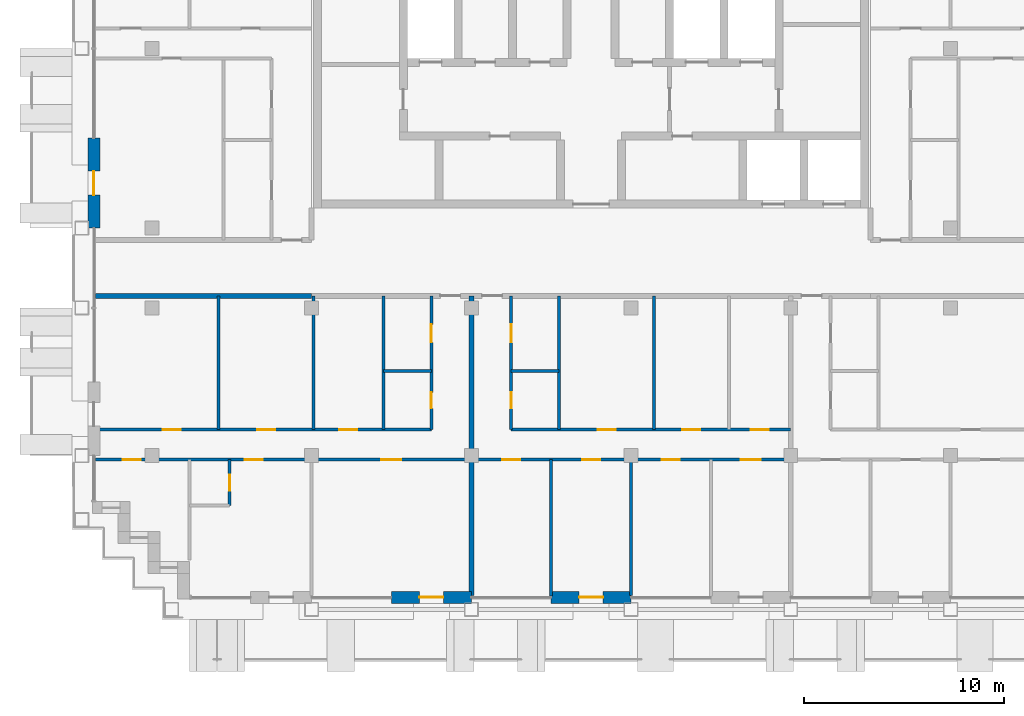
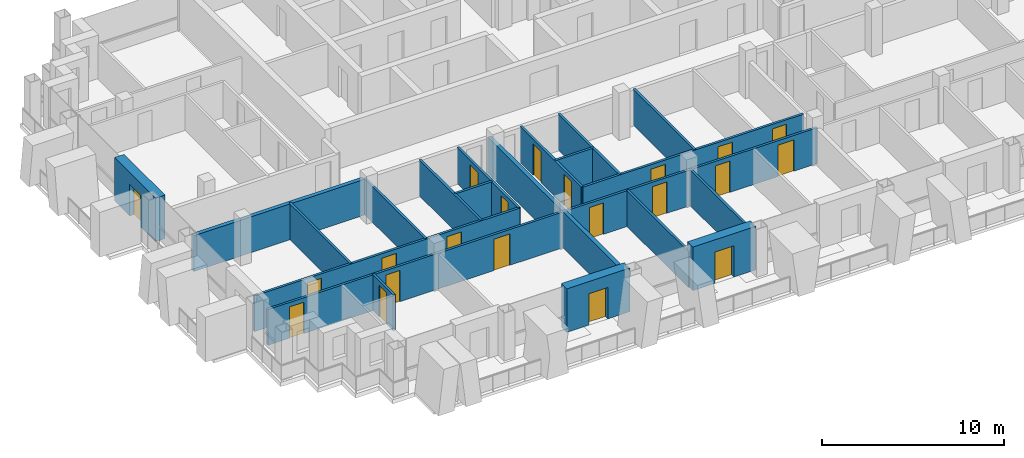
# One storey, part 8 of 16: 21 doors, 21 walls, 21 openings.
"""IFC4 building model written with IfcOpenShell, lengths in metres."""

from ifc_helpers import new_model, si_unit, direction, frame, frame_2d, origin, place, context, subcontext, project, spatial, rectangle, extrude, material, layer, layer_set, type_object, element, fill, save


model = new_model("IFC4")

# Units and contexts
model_context = context("Model", 3, precision=1e-05, world=origin(), true_north=direction((0.0, 1.0)))
body_context = subcontext(model_context, "Body", "Model", "MODEL_VIEW")
ifc_project = project(units=[si_unit("LENGTHUNIT", "METRE"), si_unit("AREAUNIT", "SQUARE_METRE"), si_unit("VOLUMEUNIT", "CUBIC_METRE"), si_unit("PLANEANGLEUNIT", "RADIAN"), si_unit("MASSUNIT", "GRAM", prefix="KILO")], contexts=[model_context])

# Site, building, storey
site_placement = place(None, origin())
site = spatial("IfcSite", under=ifc_project, at=site_placement, CompositionType="ELEMENT")
building_placement = place(site_placement, origin())
building = spatial("IfcBuilding", under=site, at=building_placement, Name="Vidyagriha Tower", CompositionType="ELEMENT")
storey_placement = place(building_placement, frame((0.0, 0.0, 165.300048828125)))
storey = spatial("IfcBuildingStorey", under=building, at=storey_placement, Name="L42", CompositionType="ELEMENT", Elevation=165.300048828125)

# Wall, opening, door
ifc_material_1 = material(Name="Precast concrete C40/50 with brick facing", Category="concrete")
ifc_layer_1 = layer(ifc_material_1, 0.60009765625)
ifc_layer_set_1 = layer_set([ifc_layer_1], Name="Precast concrete C40/50 with brick facing")
wall_type_1 = type_object("IfcWallType", Name="Brick-faced precast wall 600", PredefinedType="STANDARD", material=ifc_layer_set_1)
wall_1_placement = place(storey_placement, frame((-24.89990234375, 6.5, 0.0), z_axis=(0.0, 0.0, 1.0), x_axis=(0.0, -1.0, 0.0)))
wall_1 = element("IfcWall", 1, at=wall_1_placement, inside=storey, type_object=wall_type_1, Name="Brick door bay wall L42 R16.3", PredefinedType="STANDARD", context=body_context, shape_type="SweptSolid", body=[
    extrude(rectangle(XDim=4.5, YDim=0.60009765625, at=frame_2d((2.25, 0.0))), origin(), (0.0, 0.0, 1.0), 2.919921875),
])
opening_1_placement = place(wall_1_placement, frame((1.64990234375, 0.0, 0.0)))
opening_1 = element("IfcOpeningElement", 2, at=opening_1_placement, cuts=wall_1, Name="Opening D42-66", PredefinedType="OPENING", context=body_context, shape_type="SweptSolid", body=[
    extrude(rectangle(XDim=1.199951171875, YDim=2.10009765625, at=frame_2d((0.60009765625, 1.050048828125))), frame((0.0, 0.31005859375, 0.0), z_axis=(0.0, -1.0, 0.0), x_axis=(1.0, 0.0, 0.0)), (0.0, 0.0, 1.0), 0.6201171875),
])
ifc_material_2 = material(Name="Aluminium framed glazed sliding door", Category="aluminium")
door_type_1 = type_object("IfcDoorType", Name="Balcony sliding door 1200x2100", OperationType="NOTDEFINED", PredefinedType="DOOR", material=ifc_material_2)
door_1_placement = place(opening_1_placement, origin())
door_1 = element("IfcDoor", 3, at=door_1_placement, inside=storey, type_object=door_type_1, Name="Door D42-66", OperationType="SLIDING_TO_LEFT", OverallHeight=2.10009765625, OverallWidth=1.199951171875, PredefinedType="DOOR", context=body_context, shape_type="SweptSolid", body=[
    extrude(rectangle(XDim=1.199951171875, YDim=2.10009765625, at=frame_2d((0.60009765625, 1.050048828125))), frame((0.0, 0.02490234375, 0.0), z_axis=(0.0, -1.0, 0.0), x_axis=(1.0, 0.0, 0.0)), (0.0, 0.0, 1.0), 0.050048828125),
])
fill(opening_1, door_1)

wall_2_placement = place(storey_placement, frame((-10.0, -16.5, 0.0)))
wall_2 = element("IfcWall", 4, at=wall_2_placement, inside=storey, type_object=wall_type_1, Name="Brick door bay wall L42 R23.4", PredefinedType="STANDARD", context=body_context, shape_type="SweptSolid", body=[
    extrude(rectangle(XDim=4.0, YDim=0.60009765625, at=frame_2d((2.0, 0.0))), origin(), (0.0, 0.0, 1.0), 2.919921875),
])
opening_2_placement = place(wall_2_placement, frame((1.39990234375, 0.0, 0.0)))
opening_2 = element("IfcOpeningElement", 5, at=opening_2_placement, cuts=wall_2, Name="Opening D42-69", PredefinedType="OPENING", context=body_context, shape_type="SweptSolid", body=[
    extrude(rectangle(XDim=1.199951171875, YDim=2.10009765625, at=frame_2d((0.60009765625, 1.050048828125))), frame((0.0, 0.31005859375, 0.0), z_axis=(0.0, -1.0, 0.0), x_axis=(1.0, 0.0, 0.0)), (0.0, 0.0, 1.0), 0.6201171875),
])
door_2_placement = place(opening_2_placement, origin())
door_2 = element("IfcDoor", 6, at=door_2_placement, inside=storey, type_object=door_type_1, Name="Door D42-69", OperationType="SLIDING_TO_LEFT", OverallHeight=2.10009765625, OverallWidth=1.199951171875, PredefinedType="DOOR", context=body_context, shape_type="SweptSolid", body=[
    extrude(rectangle(XDim=1.199951171875, YDim=2.10009765625, at=frame_2d((0.60009765625, 1.050048828125))), frame((0.0, 0.02490234375, 0.0), z_axis=(0.0, -1.0, 0.0), x_axis=(1.0, 0.0, 0.0)), (0.0, 0.0, 1.0), 0.050048828125),
])
fill(opening_2, door_2)

wall_3_placement = place(storey_placement, frame((-2.0, -16.5, 0.0)))
wall_3 = element("IfcWall", 7, at=wall_3_placement, inside=storey, type_object=wall_type_1, Name="Brick door bay wall L42 R23.6", PredefinedType="STANDARD", context=body_context, shape_type="SweptSolid", body=[
    extrude(rectangle(XDim=4.0, YDim=0.60009765625, at=frame_2d((2.0, 0.0))), origin(), (0.0, 0.0, 1.0), 2.919921875),
])
opening_3_placement = place(wall_3_placement, frame((1.39990234375, 0.0, 0.0)))
opening_3 = element("IfcOpeningElement", 8, at=opening_3_placement, cuts=wall_3, Name="Opening D42-70", PredefinedType="OPENING", context=body_context, shape_type="SweptSolid", body=[
    extrude(rectangle(XDim=1.199951171875, YDim=2.10009765625, at=frame_2d((0.60009765625, 1.050048828125))), frame((0.0, 0.31005859375, 0.0), z_axis=(0.0, -1.0, 0.0), x_axis=(1.0, 0.0, 0.0)), (0.0, 0.0, 1.0), 0.6201171875),
])
door_3_placement = place(opening_3_placement, origin())
door_3 = element("IfcDoor", 9, at=door_3_placement, inside=storey, type_object=door_type_1, Name="Door D42-70", OperationType="SLIDING_TO_LEFT", OverallHeight=2.10009765625, OverallWidth=1.199951171875, PredefinedType="DOOR", context=body_context, shape_type="SweptSolid", body=[
    extrude(rectangle(XDim=1.199951171875, YDim=2.10009765625, at=frame_2d((0.60009765625, 1.050048828125))), frame((0.0, 0.02490234375, 0.0), z_axis=(0.0, -1.0, 0.0), x_axis=(1.0, 0.0, 0.0)), (0.0, 0.0, 1.0), 0.050048828125),
])
fill(opening_3, door_3)

# Walls
ifc_material_3 = material(Name="Fired clay brick masonry", Category="masonry")
ifc_layer_2 = layer(ifc_material_3, 0.25)
ifc_layer_set_2 = layer_set([ifc_layer_2], Name="Fired clay brick masonry")
wall_type_2 = type_object("IfcWallType", Name="Fired clay brick corridor wall 250", PredefinedType="PARTITIONING", material=ifc_layer_set_2)
wall_4_placement = place(storey_placement, frame((-14.0, -1.39990234375, 0.0), z_axis=(0.0, 0.0, 1.0), x_axis=(-1.0, 0.0, 0.0)))
element("IfcWall", 10, at=wall_4_placement, inside=storey, type_object=wall_type_2, Name="Wall all-L42-w066", PredefinedType="PARTITIONING", context=body_context, shape_type="SweptSolid", body=[
    extrude(rectangle(XDim=10.820068359375, YDim=0.25, at=frame_2d((5.41015625, 0.0))), origin(), (0.0, 0.0, 1.0), 2.39990234375),
])
ifc_material_4 = material(Name="Fired clay brick masonry", Category="masonry")
ifc_layer_3 = layer(ifc_material_4, 0.25)
ifc_layer_set_3 = layer_set([ifc_layer_3], Name="Fired clay brick masonry")
wall_type_3 = type_object("IfcWallType", Name="Fired clay brick demising wall 250", PredefinedType="PARTITIONING", material=ifc_layer_set_3)
wall_5_placement = place(storey_placement, frame((-6.0, -1.39990234375, 0.0), z_axis=(0.0, 0.0, 1.0), x_axis=(0.0, -1.0, 0.0)))
element("IfcWall", 11, at=wall_5_placement, inside=storey, type_object=wall_type_3, Name="Wall all-L42-w042", PredefinedType="PARTITIONING", context=body_context, shape_type="SweptSolid", body=[
    extrude(rectangle(XDim=15.010009765625, YDim=0.25, at=frame_2d((7.5048828125, 0.0))), origin(), (0.0, 0.0, 1.0), 2.39990234375),
])
ifc_material_5 = material(Name="Gypsum board partition")
ifc_layer_4 = layer(ifc_material_5, 0.14990234375)
ifc_layer_set_4 = layer_set([ifc_layer_4], Name="Gypsum board partition")
wall_type_4 = type_object("IfcWallType", Name="Gypsum board partition 150", PredefinedType="PARTITIONING", material=ifc_layer_set_4)
wall_6_placement = place(storey_placement, frame((-8.0, -5.14990234375, 0.0), z_axis=(0.0, 0.0, 1.0), x_axis=(-1.0, 0.0, 0.0)))
element("IfcWall", 12, at=wall_6_placement, inside=storey, type_object=wall_type_4, Name="Wall all-L42-w004", PredefinedType="PARTITIONING", context=body_context, shape_type="SweptSolid", body=[
    extrude(rectangle(XDim=2.39990234375, YDim=0.14990234375, at=frame_2d((1.199951171875, 0.0))), origin(), (0.0, 0.0, 1.0), 2.39990234375),
])
for number, where, z_axis, x_axis, name in (
    (13, (-10.39990234375, -8.10009765625, 0.0), (0.0, 0.0, 1.0), (0.0, 1.0, 0.0), "Wall all-L42-w005"),
    (14, (-13.89990234375, -8.10009765625, 0.0), (0.0, 0.0, 1.0), (0.0, 1.0, 0.0), "Wall all-L42-w006"),
    (15, (-18.64990234375, -8.10009765625, 0.0), (0.0, 0.0, 1.0), (0.0, 1.0, 0.0), "Wall all-L42-w007"),
):
    element("IfcWall", number, at=place(storey_placement, frame(where, z_axis=z_axis, x_axis=x_axis)), inside=storey, type_object=wall_type_4, Name=name, PredefinedType="PARTITIONING", context=body_context, shape_type="SweptSolid", body=[
        extrude(rectangle(XDim=6.7001953125, YDim=0.14990234375, at=frame_2d((3.35009765625, 0.0))), origin(), (0.0, 0.0, 1.0), 2.39990234375),
    ])

# Wall, openings, doors
wall_7_placement = place(storey_placement, frame((-24.81005859375, -8.10009765625, 0.0)))
wall_7 = element("IfcWall", 16, at=wall_7_placement, inside=storey, type_object=wall_type_4, Name="Wall all-L42-w008", PredefinedType="PARTITIONING", context=body_context, shape_type="SweptSolid", body=[
    extrude(rectangle(XDim=16.81005859375, YDim=0.14990234375, at=frame_2d((8.405029296875, 0.0))), origin(), (0.0, 0.0, 1.0), 2.39990234375),
])
opening_4_placement = place(wall_7_placement, frame((12.2099609375, 0.0, 0.0)))
opening_4 = element("IfcOpeningElement", 17, at=opening_4_placement, cuts=wall_7, Name="Opening D42-17", PredefinedType="OPENING", context=body_context, shape_type="SweptSolid", body=[
    extrude(rectangle(XDim=0.89990234375, YDim=2.10009765625, at=frame_2d((0.449951171875, 1.050048828125))), frame((0.0, 0.0849609375, 0.0), z_axis=(0.0, -1.0, 0.0), x_axis=(1.0, 0.0, 0.0)), (0.0, 0.0, 1.0), 0.169921875),
])
opening_5_placement = place(wall_7_placement, frame((8.0849609375, 0.0, 0.0)))
opening_5 = element("IfcOpeningElement", 18, at=opening_5_placement, cuts=wall_7, Name="Opening D42-18", PredefinedType="OPENING", context=body_context, shape_type="SweptSolid", body=[
    extrude(rectangle(XDim=0.89990234375, YDim=2.10009765625, at=frame_2d((0.449951171875, 1.050048828125))), frame((0.0, 0.0849609375, 0.0), z_axis=(0.0, -1.0, 0.0), x_axis=(1.0, 0.0, 0.0)), (0.0, 0.0, 1.0), 0.169921875),
])
opening_6_placement = place(wall_7_placement, frame((3.35693359375, 0.0, 0.0)))
opening_6 = element("IfcOpeningElement", 19, at=opening_6_placement, cuts=wall_7, Name="Opening D42-19", PredefinedType="OPENING", context=body_context, shape_type="SweptSolid", body=[
    extrude(rectangle(XDim=0.89990234375, YDim=2.10009765625, at=frame_2d((0.449951171875, 1.050048828125))), frame((0.0, 0.0849609375, 0.0), z_axis=(0.0, -1.0, 0.0), x_axis=(1.0, 0.0, 0.0)), (0.0, 0.0, 1.0), 0.169921875),
])
ifc_material_6 = material(Name="Timber door leaf", Category="wood")
door_type_2 = type_object("IfcDoorType", Name="Room door 900x2100", OperationType="NOTDEFINED", PredefinedType="DOOR", material=ifc_material_6)
door_4_placement = place(opening_4_placement, origin())
door_4 = element("IfcDoor", 20, at=door_4_placement, inside=storey, type_object=door_type_2, Name="Door D42-17", OperationType="SINGLE_SWING_RIGHT", OverallHeight=2.10009765625, OverallWidth=0.89990234375, PredefinedType="DOOR", context=body_context, shape_type="SweptSolid", body=[
    extrude(rectangle(XDim=0.89990234375, YDim=2.10009765625, at=frame_2d((0.449951171875, 1.050048828125))), frame((0.0, 0.02490234375, 0.0), z_axis=(0.0, -1.0, 0.0), x_axis=(1.0, 0.0, 0.0)), (0.0, 0.0, 1.0), 0.050048828125),
])
fill(opening_4, door_4)
door_5_placement = place(opening_5_placement, origin())
door_5 = element("IfcDoor", 21, at=door_5_placement, inside=storey, type_object=door_type_2, Name="Door D42-18", OperationType="SINGLE_SWING_RIGHT", OverallHeight=2.10009765625, OverallWidth=0.89990234375, PredefinedType="DOOR", context=body_context, shape_type="SweptSolid", body=[
    extrude(rectangle(XDim=0.89990234375, YDim=2.10009765625, at=frame_2d((0.449951171875, 1.050048828125))), frame((0.0, 0.02490234375, 0.0), z_axis=(0.0, -1.0, 0.0), x_axis=(1.0, 0.0, 0.0)), (0.0, 0.0, 1.0), 0.050048828125),
])
fill(opening_5, door_5)
door_6_placement = place(opening_6_placement, origin())
door_6 = element("IfcDoor", 22, at=door_6_placement, inside=storey, type_object=door_type_2, Name="Door D42-19", OperationType="SINGLE_SWING_RIGHT", OverallHeight=2.10009765625, OverallWidth=0.89990234375, PredefinedType="DOOR", context=body_context, shape_type="SweptSolid", body=[
    extrude(rectangle(XDim=0.89990234375, YDim=2.10009765625, at=frame_2d((0.449951171875, 1.050048828125))), frame((0.0, 0.02490234375, 0.0), z_axis=(0.0, -1.0, 0.0), x_axis=(1.0, 0.0, 0.0)), (0.0, 0.0, 1.0), 0.050048828125),
])
fill(opening_6, door_6)

wall_8_placement = place(storey_placement, frame((-6.0, -9.60009765625, 0.0), z_axis=(0.0, 0.0, 1.0), x_axis=(-1.0, 0.0, 0.0)))
wall_8 = element("IfcWall", 23, at=wall_8_placement, inside=storey, type_object=wall_type_4, Name="Wall all-L42-w012", PredefinedType="PARTITIONING", context=body_context, shape_type="SweptSolid", body=[
    extrude(rectangle(XDim=18.820068359375, YDim=0.14990234375, at=frame_2d((9.41015625, 0.0))), origin(), (0.0, 0.0, 1.0), 2.39990234375),
])
opening_7_placement = place(wall_8_placement, frame((16.547119140625, 0.0, 0.0)))
opening_7 = element("IfcOpeningElement", 24, at=opening_7_placement, cuts=wall_8, Name="Opening D42-20", PredefinedType="OPENING", context=body_context, shape_type="SweptSolid", body=[
    extrude(rectangle(XDim=0.89990234375, YDim=2.10009765625, at=frame_2d((0.449951171875, 1.050048828125))), frame((0.0, 0.0849609375, 0.0), z_axis=(0.0, -1.0, 0.0), x_axis=(1.0, 0.0, 0.0)), (0.0, 0.0, 1.0), 0.169921875),
])
opening_8_placement = place(wall_8_placement, frame((10.449951171875, 0.0, 0.0)))
opening_8 = element("IfcOpeningElement", 25, at=opening_8_placement, cuts=wall_8, Name="Opening D42-21", PredefinedType="OPENING", context=body_context, shape_type="SweptSolid", body=[
    extrude(rectangle(XDim=0.89990234375, YDim=2.10009765625, at=frame_2d((0.449951171875, 1.050048828125))), frame((0.0, 0.0849609375, 0.0), z_axis=(0.0, -1.0, 0.0), x_axis=(1.0, 0.0, 0.0)), (0.0, 0.0, 1.0), 0.169921875),
])
opening_9_placement = place(wall_8_placement, frame((3.5, 0.0, 0.0)))
opening_9 = element("IfcOpeningElement", 26, at=opening_9_placement, cuts=wall_8, Name="Opening D42-22", PredefinedType="OPENING", context=body_context, shape_type="SweptSolid", body=[
    extrude(rectangle(XDim=1.0, YDim=2.10009765625, at=frame_2d((0.5, 1.050048828125))), frame((0.0, 0.0849609375, 0.0), z_axis=(0.0, -1.0, 0.0), x_axis=(1.0, 0.0, 0.0)), (0.0, 0.0, 1.0), 0.169921875),
])
ifc_material_7 = material(Name="Timber door leaf", Category="wood")
door_type_3 = type_object("IfcDoorType", Name="Room door 1000x2100", OperationType="NOTDEFINED", PredefinedType="DOOR", material=ifc_material_7)
door_7_placement = place(opening_9_placement, origin())
door_7 = element("IfcDoor", 27, at=door_7_placement, inside=storey, type_object=door_type_3, Name="Door D42-22", OperationType="SINGLE_SWING_RIGHT", OverallHeight=2.10009765625, OverallWidth=1.0, PredefinedType="DOOR", context=body_context, shape_type="SweptSolid", body=[
    extrude(rectangle(XDim=1.0, YDim=2.10009765625, at=frame_2d((0.5, 1.050048828125))), frame((0.0, 0.02490234375, 0.0), z_axis=(0.0, -1.0, 0.0), x_axis=(1.0, 0.0, 0.0)), (0.0, 0.0, 1.0), 0.050048828125),
])
fill(opening_9, door_7)
door_8_placement = place(opening_7_placement, origin())
door_8 = element("IfcDoor", 28, at=door_8_placement, inside=storey, type_object=door_type_2, Name="Door D42-20", OperationType="SINGLE_SWING_RIGHT", OverallHeight=2.10009765625, OverallWidth=0.89990234375, PredefinedType="DOOR", context=body_context, shape_type="SweptSolid", body=[
    extrude(rectangle(XDim=0.89990234375, YDim=2.10009765625, at=frame_2d((0.449951171875, 1.050048828125))), frame((0.0, 0.02490234375, 0.0), z_axis=(0.0, -1.0, 0.0), x_axis=(1.0, 0.0, 0.0)), (0.0, 0.0, 1.0), 0.050048828125),
])
fill(opening_7, door_8)
door_9_placement = place(opening_8_placement, origin())
door_9 = element("IfcDoor", 29, at=door_9_placement, inside=storey, type_object=door_type_2, Name="Door D42-21", OperationType="SINGLE_SWING_LEFT", OverallHeight=2.10009765625, OverallWidth=0.89990234375, PredefinedType="DOOR", context=body_context, shape_type="SweptSolid", body=[
    extrude(rectangle(XDim=0.89990234375, YDim=2.10009765625, at=frame_2d((0.449951171875, 1.050048828125))), frame((0.0, 0.02490234375, 0.0), z_axis=(0.0, -1.0, 0.0), x_axis=(1.0, 0.0, 0.0)), (0.0, 0.0, 1.0), 0.050048828125),
])
fill(opening_8, door_9)

# Wall, opening, door
wall_9_placement = place(storey_placement, frame((-18.10009765625, -9.60009765625, 0.0), z_axis=(0.0, 0.0, 1.0), x_axis=(0.0, -1.0, 0.0)))
wall_9 = element("IfcWall", 30, at=wall_9_placement, inside=storey, type_object=wall_type_4, Name="Wall all-L42-w018", PredefinedType="PARTITIONING", context=body_context, shape_type="SweptSolid", body=[
    extrude(rectangle(XDim=2.2998046875, YDim=0.14990234375, at=frame_2d((1.14990234375, 0.0))), origin(), (0.0, 0.0, 1.0), 2.39990234375),
])
opening_10_placement = place(wall_9_placement, frame((0.75, 0.0, 0.0)))
opening_10 = element("IfcOpeningElement", 31, at=opening_10_placement, cuts=wall_9, Name="Opening D42-23", PredefinedType="OPENING", context=body_context, shape_type="SweptSolid", body=[
    extrude(rectangle(XDim=0.800048828125, YDim=2.10009765625, at=frame_2d((0.39990234375, 1.050048828125))), frame((0.0, 0.0849609375, 0.0), z_axis=(0.0, -1.0, 0.0), x_axis=(1.0, 0.0, 0.0)), (0.0, 0.0, 1.0), 0.169921875),
])
ifc_material_8 = material(Name="Timber door leaf", Category="wood")
door_type_4 = type_object("IfcDoorType", Name="Bathroom door 800x2100", OperationType="NOTDEFINED", PredefinedType="DOOR", material=ifc_material_8)
door_10_placement = place(opening_10_placement, origin())
door_10 = element("IfcDoor", 32, at=door_10_placement, inside=storey, type_object=door_type_4, Name="Door D42-23", OperationType="SINGLE_SWING_LEFT", OverallHeight=2.10009765625, OverallWidth=0.800048828125, PredefinedType="DOOR", context=body_context, shape_type="SweptSolid", body=[
    extrude(rectangle(XDim=0.800048828125, YDim=2.10009765625, at=frame_2d((0.39990234375, 1.050048828125))), frame((0.0, 0.02490234375, 0.0), z_axis=(0.0, -1.0, 0.0), x_axis=(1.0, 0.0, 0.0)), (0.0, 0.0, 1.0), 0.050048828125),
])
fill(opening_10, door_10)

# Walls
wall_10_placement = place(storey_placement, frame((-1.60009765625, -5.14990234375, 0.0), z_axis=(0.0, 0.0, 1.0), x_axis=(-1.0, 0.0, 0.0)))
element("IfcWall", 33, at=wall_10_placement, inside=storey, type_object=wall_type_4, Name="Wall all-L42-w025", PredefinedType="PARTITIONING", context=body_context, shape_type="SweptSolid", body=[
    extrude(rectangle(XDim=2.39990234375, YDim=0.14990234375, at=frame_2d((1.199951171875, 0.0))), origin(), (0.0, 0.0, 1.0), 2.39990234375),
])
for number, where, z_axis, x_axis, name in (
    (34, (-1.60009765625, -1.39990234375, 0.0), (0.0, 0.0, 1.0), (0.0, -1.0, 0.0), "Wall all-L42-w026"),
    (35, (3.14990234375, -1.39990234375, 0.0), (0.0, 0.0, 1.0), (0.0, -1.0, 0.0), "Wall all-L42-w027"),
):
    element("IfcWall", number, at=place(storey_placement, frame(where, z_axis=z_axis, x_axis=x_axis)), inside=storey, type_object=wall_type_4, Name=name, PredefinedType="PARTITIONING", context=body_context, shape_type="SweptSolid", body=[
        extrude(rectangle(XDim=6.7001953125, YDim=0.14990234375, at=frame_2d((3.35009765625, 0.0))), origin(), (0.0, 0.0, 1.0), 2.39990234375),
    ])

# Wall, openings, doors
wall_11_placement = place(storey_placement, frame((-4.0, -8.10009765625, 0.0)))
wall_11 = element("IfcWall", 36, at=wall_11_placement, inside=storey, type_object=wall_type_4, Name="Wall all-L42-w029", PredefinedType="PARTITIONING", context=body_context, shape_type="SweptSolid", body=[
    extrude(rectangle(XDim=14.0, YDim=0.14990234375, at=frame_2d((7.0, 0.0))), origin(), (0.0, 0.0, 1.0), 2.39990234375),
])
opening_11_placement = place(wall_11_placement, frame((4.324951171875, 0.0, 0.0)))
opening_11 = element("IfcOpeningElement", 37, at=opening_11_placement, cuts=wall_11, Name="Opening D42-27", PredefinedType="OPENING", context=body_context, shape_type="SweptSolid", body=[
    extrude(rectangle(XDim=0.89990234375, YDim=2.10009765625, at=frame_2d((0.449951171875, 1.050048828125))), frame((0.0, 0.0849609375, 0.0), z_axis=(0.0, -1.0, 0.0), x_axis=(1.0, 0.0, 0.0)), (0.0, 0.0, 1.0), 0.169921875),
])
opening_12_placement = place(wall_11_placement, frame((8.574951171875, 0.0, 0.0)))
opening_12 = element("IfcOpeningElement", 38, at=opening_12_placement, cuts=wall_11, Name="Opening D42-28", PredefinedType="OPENING", context=body_context, shape_type="SweptSolid", body=[
    extrude(rectangle(XDim=0.89990234375, YDim=2.10009765625, at=frame_2d((0.449951171875, 1.050048828125))), frame((0.0, 0.0849609375, 0.0), z_axis=(0.0, -1.0, 0.0), x_axis=(1.0, 0.0, 0.0)), (0.0, 0.0, 1.0), 0.169921875),
])
opening_13_placement = place(wall_11_placement, frame((12.0, 0.0, 0.0)))
opening_13 = element("IfcOpeningElement", 39, at=opening_13_placement, cuts=wall_11, Name="Opening D42-29", PredefinedType="OPENING", context=body_context, shape_type="SweptSolid", body=[
    extrude(rectangle(XDim=0.89990234375, YDim=2.10009765625, at=frame_2d((0.449951171875, 1.050048828125))), frame((0.0, 0.0849609375, 0.0), z_axis=(0.0, -1.0, 0.0), x_axis=(1.0, 0.0, 0.0)), (0.0, 0.0, 1.0), 0.169921875),
])
door_11_placement = place(opening_11_placement, origin())
door_11 = element("IfcDoor", 40, at=door_11_placement, inside=storey, type_object=door_type_2, Name="Door D42-27", OperationType="SINGLE_SWING_RIGHT", OverallHeight=2.10009765625, OverallWidth=0.89990234375, PredefinedType="DOOR", context=body_context, shape_type="SweptSolid", body=[
    extrude(rectangle(XDim=0.89990234375, YDim=2.10009765625, at=frame_2d((0.449951171875, 1.050048828125))), frame((0.0, 0.02490234375, 0.0), z_axis=(0.0, -1.0, 0.0), x_axis=(1.0, 0.0, 0.0)), (0.0, 0.0, 1.0), 0.050048828125),
])
fill(opening_11, door_11)
door_12_placement = place(opening_12_placement, origin())
door_12 = element("IfcDoor", 41, at=door_12_placement, inside=storey, type_object=door_type_2, Name="Door D42-28", OperationType="SINGLE_SWING_RIGHT", OverallHeight=2.10009765625, OverallWidth=0.89990234375, PredefinedType="DOOR", context=body_context, shape_type="SweptSolid", body=[
    extrude(rectangle(XDim=0.89990234375, YDim=2.10009765625, at=frame_2d((0.449951171875, 1.050048828125))), frame((0.0, 0.02490234375, 0.0), z_axis=(0.0, -1.0, 0.0), x_axis=(1.0, 0.0, 0.0)), (0.0, 0.0, 1.0), 0.050048828125),
])
fill(opening_12, door_12)
door_13_placement = place(opening_13_placement, origin())
door_13 = element("IfcDoor", 42, at=door_13_placement, inside=storey, type_object=door_type_2, Name="Door D42-29", OperationType="SINGLE_SWING_LEFT", OverallHeight=2.10009765625, OverallWidth=0.89990234375, PredefinedType="DOOR", context=body_context, shape_type="SweptSolid", body=[
    extrude(rectangle(XDim=0.89990234375, YDim=2.10009765625, at=frame_2d((0.449951171875, 1.050048828125))), frame((0.0, 0.02490234375, 0.0), z_axis=(0.0, -1.0, 0.0), x_axis=(1.0, 0.0, 0.0)), (0.0, 0.0, 1.0), 0.050048828125),
])
fill(opening_13, door_13)

wall_12_placement = place(storey_placement, frame((10.0, -9.60009765625, 0.0), z_axis=(0.0, 0.0, 1.0), x_axis=(-1.0, 0.0, 0.0)))
wall_12 = element("IfcWall", 43, at=wall_12_placement, inside=storey, type_object=wall_type_4, Name="Wall all-L42-w033", PredefinedType="PARTITIONING", context=body_context, shape_type="SweptSolid", body=[
    extrude(rectangle(XDim=16.0, YDim=0.14990234375, at=frame_2d((8.0, 0.0))), origin(), (0.0, 0.0, 1.0), 2.39990234375),
])
opening_14_placement = place(wall_12_placement, frame((13.550048828125, 0.0, 0.0)))
opening_14 = element("IfcOpeningElement", 44, at=opening_14_placement, cuts=wall_12, Name="Opening D42-30", PredefinedType="OPENING", context=body_context, shape_type="SweptSolid", body=[
    extrude(rectangle(XDim=0.89990234375, YDim=2.10009765625, at=frame_2d((0.449951171875, 1.050048828125))), frame((0.0, 0.0849609375, 0.0), z_axis=(0.0, -1.0, 0.0), x_axis=(1.0, 0.0, 0.0)), (0.0, 0.0, 1.0), 0.169921875),
])
opening_15_placement = place(wall_12_placement, frame((9.550048828125, 0.0, 0.0)))
opening_15 = element("IfcOpeningElement", 45, at=opening_15_placement, cuts=wall_12, Name="Opening D42-31", PredefinedType="OPENING", context=body_context, shape_type="SweptSolid", body=[
    extrude(rectangle(XDim=0.89990234375, YDim=2.10009765625, at=frame_2d((0.449951171875, 1.050048828125))), frame((0.0, 0.0849609375, 0.0), z_axis=(0.0, -1.0, 0.0), x_axis=(1.0, 0.0, 0.0)), (0.0, 0.0, 1.0), 0.169921875),
])
opening_16_placement = place(wall_12_placement, frame((5.550048828125, 0.0, 0.0)))
opening_16 = element("IfcOpeningElement", 46, at=opening_16_placement, cuts=wall_12, Name="Opening D42-32", PredefinedType="OPENING", context=body_context, shape_type="SweptSolid", body=[
    extrude(rectangle(XDim=0.89990234375, YDim=2.10009765625, at=frame_2d((0.449951171875, 1.050048828125))), frame((0.0, 0.0849609375, 0.0), z_axis=(0.0, -1.0, 0.0), x_axis=(1.0, 0.0, 0.0)), (0.0, 0.0, 1.0), 0.169921875),
])
opening_17_placement = place(wall_12_placement, frame((1.5, 0.0, 0.0)))
opening_17 = element("IfcOpeningElement", 47, at=opening_17_placement, cuts=wall_12, Name="Opening D42-33", PredefinedType="OPENING", context=body_context, shape_type="SweptSolid", body=[
    extrude(rectangle(XDim=1.0, YDim=2.10009765625, at=frame_2d((0.5, 1.050048828125))), frame((0.0, 0.0849609375, 0.0), z_axis=(0.0, -1.0, 0.0), x_axis=(1.0, 0.0, 0.0)), (0.0, 0.0, 1.0), 0.169921875),
])
door_14_placement = place(opening_17_placement, origin())
door_14 = element("IfcDoor", 48, at=door_14_placement, inside=storey, type_object=door_type_3, Name="Door D42-33", OperationType="SINGLE_SWING_RIGHT", OverallHeight=2.10009765625, OverallWidth=1.0, PredefinedType="DOOR", context=body_context, shape_type="SweptSolid", body=[
    extrude(rectangle(XDim=1.0, YDim=2.10009765625, at=frame_2d((0.5, 1.050048828125))), frame((0.0, 0.02490234375, 0.0), z_axis=(0.0, -1.0, 0.0), x_axis=(1.0, 0.0, 0.0)), (0.0, 0.0, 1.0), 0.050048828125),
])
fill(opening_17, door_14)
door_15_placement = place(opening_14_placement, origin())
door_15 = element("IfcDoor", 49, at=door_15_placement, inside=storey, type_object=door_type_2, Name="Door D42-30", OperationType="SINGLE_SWING_RIGHT", OverallHeight=2.10009765625, OverallWidth=0.89990234375, PredefinedType="DOOR", context=body_context, shape_type="SweptSolid", body=[
    extrude(rectangle(XDim=0.89990234375, YDim=2.10009765625, at=frame_2d((0.449951171875, 1.050048828125))), frame((0.0, 0.02490234375, 0.0), z_axis=(0.0, -1.0, 0.0), x_axis=(1.0, 0.0, 0.0)), (0.0, 0.0, 1.0), 0.050048828125),
])
fill(opening_14, door_15)
door_16_placement = place(opening_15_placement, origin())
door_16 = element("IfcDoor", 50, at=door_16_placement, inside=storey, type_object=door_type_2, Name="Door D42-31", OperationType="SINGLE_SWING_RIGHT", OverallHeight=2.10009765625, OverallWidth=0.89990234375, PredefinedType="DOOR", context=body_context, shape_type="SweptSolid", body=[
    extrude(rectangle(XDim=0.89990234375, YDim=2.10009765625, at=frame_2d((0.449951171875, 1.050048828125))), frame((0.0, 0.02490234375, 0.0), z_axis=(0.0, -1.0, 0.0), x_axis=(1.0, 0.0, 0.0)), (0.0, 0.0, 1.0), 0.050048828125),
])
fill(opening_15, door_16)
door_17_placement = place(opening_16_placement, origin())
door_17 = element("IfcDoor", 51, at=door_17_placement, inside=storey, type_object=door_type_2, Name="Door D42-32", OperationType="SINGLE_SWING_RIGHT", OverallHeight=2.10009765625, OverallWidth=0.89990234375, PredefinedType="DOOR", context=body_context, shape_type="SweptSolid", body=[
    extrude(rectangle(XDim=0.89990234375, YDim=2.10009765625, at=frame_2d((0.449951171875, 1.050048828125))), frame((0.0, 0.02490234375, 0.0), z_axis=(0.0, -1.0, 0.0), x_axis=(1.0, 0.0, 0.0)), (0.0, 0.0, 1.0), 0.050048828125),
])
fill(opening_16, door_17)

# Walls
wall_13_placement = place(storey_placement, frame((-2.0, -9.60009765625, 0.0), z_axis=(0.0, 0.0, 1.0), x_axis=(0.0, -1.0, 0.0)))
element("IfcWall", 52, at=wall_13_placement, inside=storey, type_object=wall_type_4, Name="Wall all-L42-w038", PredefinedType="PARTITIONING", context=body_context, shape_type="SweptSolid", body=[
    extrude(rectangle(XDim=6.82080078125, YDim=0.14990234375, at=frame_2d((3.410400390625, 0.0))), origin(), (0.0, 0.0, 1.0), 2.39990234375),
])
wall_14_placement = place(storey_placement, frame((2.0, -9.60009765625, 0.0), z_axis=(0.0, 0.0, 1.0), x_axis=(0.0, -1.0, 0.0)))
element("IfcWall", 53, at=wall_14_placement, inside=storey, type_object=wall_type_4, Name="Wall all-L42-w039", PredefinedType="PARTITIONING", context=body_context, shape_type="SweptSolid", body=[
    extrude(rectangle(XDim=6.809814453125, YDim=0.14990234375, at=frame_2d((3.40478515625, 0.0))), origin(), (0.0, 0.0, 1.0), 2.39990234375),
])

# Wall, openings, doors
ifc_material_9 = material(Name="Moisture resistant gypsum board partition")
ifc_layer_5 = layer(ifc_material_9, 0.14990234375)
ifc_layer_set_5 = layer_set([ifc_layer_5], Name="Moisture resistant gypsum board partition")
wall_type_5 = type_object("IfcWallType", Name="Gypsum board wet-area partition 150", PredefinedType="PARTITIONING", material=ifc_layer_set_5)
wall_15_placement = place(storey_placement, frame((-8.0, -8.10009765625, 0.0), z_axis=(0.0, 0.0, 1.0), x_axis=(0.0, 1.0, 0.0)))
wall_15 = element("IfcWall", 54, at=wall_15_placement, inside=storey, type_object=wall_type_5, Name="Wall all-L42-w001", PredefinedType="PARTITIONING", context=body_context, shape_type="SweptSolid", body=[
    extrude(rectangle(XDim=6.7001953125, YDim=0.14990234375, at=frame_2d((3.35009765625, 0.0))), origin(), (0.0, 0.0, 1.0), 2.39990234375),
])
opening_18_placement = place(wall_15_placement, frame((4.375, 0.0, 0.0)))
opening_18 = element("IfcOpeningElement", 55, at=opening_18_placement, cuts=wall_15, Name="Opening D42-15", PredefinedType="OPENING", context=body_context, shape_type="SweptSolid", body=[
    extrude(rectangle(XDim=0.89990234375, YDim=2.10009765625, at=frame_2d((0.449951171875, 1.050048828125))), frame((0.0, 0.0849609375, 0.0), z_axis=(0.0, -1.0, 0.0), x_axis=(1.0, 0.0, 0.0)), (0.0, 0.0, 1.0), 0.169921875),
])
opening_19_placement = place(wall_15_placement, frame((1.074951171875, 0.0, 0.0)))
opening_19 = element("IfcOpeningElement", 56, at=opening_19_placement, cuts=wall_15, Name="Opening D42-16", PredefinedType="OPENING", context=body_context, shape_type="SweptSolid", body=[
    extrude(rectangle(XDim=0.800048828125, YDim=2.10009765625, at=frame_2d((0.39990234375, 1.050048828125))), frame((0.0, 0.0849609375, 0.0), z_axis=(0.0, -1.0, 0.0), x_axis=(1.0, 0.0, 0.0)), (0.0, 0.0, 1.0), 0.169921875),
])
door_18_placement = place(opening_19_placement, origin())
door_18 = element("IfcDoor", 57, at=door_18_placement, inside=storey, type_object=door_type_4, Name="Door D42-16", OperationType="SINGLE_SWING_RIGHT", OverallHeight=2.10009765625, OverallWidth=0.800048828125, PredefinedType="DOOR", context=body_context, shape_type="SweptSolid", body=[
    extrude(rectangle(XDim=0.800048828125, YDim=2.10009765625, at=frame_2d((0.39990234375, 1.050048828125))), frame((0.0, 0.02490234375, 0.0), z_axis=(0.0, -1.0, 0.0), x_axis=(1.0, 0.0, 0.0)), (0.0, 0.0, 1.0), 0.050048828125),
])
fill(opening_19, door_18)
ifc_material_10 = material(Name="Timber door leaf", Category="wood")
door_type_5 = type_object("IfcDoorType", Name="Kitchen door 900x2100", OperationType="NOTDEFINED", PredefinedType="DOOR", material=ifc_material_10)
door_19_placement = place(opening_18_placement, origin())
door_19 = element("IfcDoor", 58, at=door_19_placement, inside=storey, type_object=door_type_5, Name="Door D42-15", OperationType="SINGLE_SWING_LEFT", OverallHeight=2.10009765625, OverallWidth=0.89990234375, PredefinedType="DOOR", context=body_context, shape_type="SweptSolid", body=[
    extrude(rectangle(XDim=0.89990234375, YDim=2.10009765625, at=frame_2d((0.449951171875, 1.050048828125))), frame((0.0, 0.02490234375, 0.0), z_axis=(0.0, -1.0, 0.0), x_axis=(1.0, 0.0, 0.0)), (0.0, 0.0, 1.0), 0.050048828125),
])
fill(opening_18, door_19)

wall_16_placement = place(storey_placement, frame((-4.0, -1.39990234375, 0.0), z_axis=(0.0, 0.0, 1.0), x_axis=(0.0, -1.0, 0.0)))
wall_16 = element("IfcWall", 59, at=wall_16_placement, inside=storey, type_object=wall_type_5, Name="Wall all-L42-w022", PredefinedType="PARTITIONING", context=body_context, shape_type="SweptSolid", body=[
    extrude(rectangle(XDim=6.7001953125, YDim=0.14990234375, at=frame_2d((3.35009765625, 0.0))), origin(), (0.0, 0.0, 1.0), 2.39990234375),
])
opening_20_placement = place(wall_16_placement, frame((1.425048828125, 0.0, 0.0)))
opening_20 = element("IfcOpeningElement", 60, at=opening_20_placement, cuts=wall_16, Name="Opening D42-25", PredefinedType="OPENING", context=body_context, shape_type="SweptSolid", body=[
    extrude(rectangle(XDim=0.89990234375, YDim=2.10009765625, at=frame_2d((0.449951171875, 1.050048828125))), frame((0.0, 0.0849609375, 0.0), z_axis=(0.0, -1.0, 0.0), x_axis=(1.0, 0.0, 0.0)), (0.0, 0.0, 1.0), 0.169921875),
])
opening_21_placement = place(wall_16_placement, frame((4.824951171875, 0.0, 0.0)))
opening_21 = element("IfcOpeningElement", 61, at=opening_21_placement, cuts=wall_16, Name="Opening D42-26", PredefinedType="OPENING", context=body_context, shape_type="SweptSolid", body=[
    extrude(rectangle(XDim=0.800048828125, YDim=2.10009765625, at=frame_2d((0.39990234375, 1.050048828125))), frame((0.0, 0.0849609375, 0.0), z_axis=(0.0, -1.0, 0.0), x_axis=(1.0, 0.0, 0.0)), (0.0, 0.0, 1.0), 0.169921875),
])
door_20_placement = place(opening_21_placement, origin())
door_20 = element("IfcDoor", 62, at=door_20_placement, inside=storey, type_object=door_type_4, Name="Door D42-26", OperationType="SINGLE_SWING_RIGHT", OverallHeight=2.10009765625, OverallWidth=0.800048828125, PredefinedType="DOOR", context=body_context, shape_type="SweptSolid", body=[
    extrude(rectangle(XDim=0.800048828125, YDim=2.10009765625, at=frame_2d((0.39990234375, 1.050048828125))), frame((0.0, 0.02490234375, 0.0), z_axis=(0.0, -1.0, 0.0), x_axis=(1.0, 0.0, 0.0)), (0.0, 0.0, 1.0), 0.050048828125),
])
fill(opening_21, door_20)
door_21_placement = place(opening_20_placement, origin())
door_21 = element("IfcDoor", 63, at=door_21_placement, inside=storey, type_object=door_type_5, Name="Door D42-25", OperationType="SINGLE_SWING_LEFT", OverallHeight=2.10009765625, OverallWidth=0.89990234375, PredefinedType="DOOR", context=body_context, shape_type="SweptSolid", body=[
    extrude(rectangle(XDim=0.89990234375, YDim=2.10009765625, at=frame_2d((0.449951171875, 1.050048828125))), frame((0.0, 0.02490234375, 0.0), z_axis=(0.0, -1.0, 0.0), x_axis=(1.0, 0.0, 0.0)), (0.0, 0.0, 1.0), 0.050048828125),
])
fill(opening_20, door_21)

save(model, "model.ifc")
